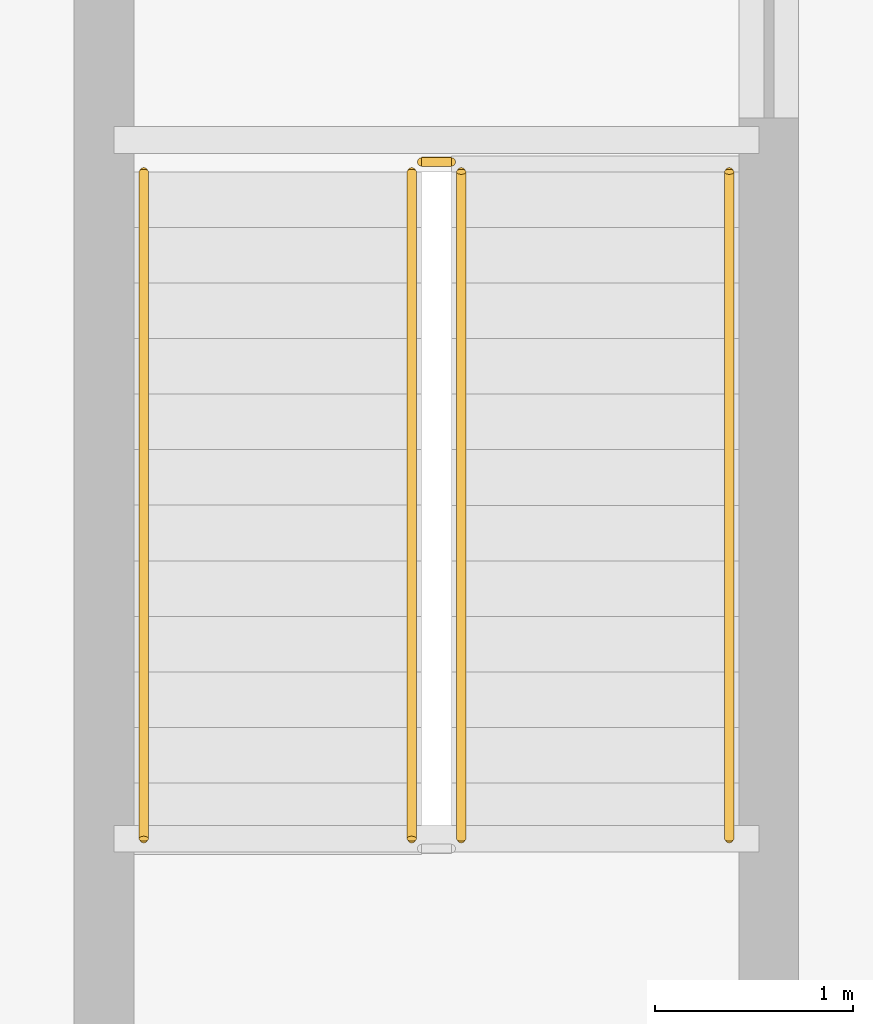
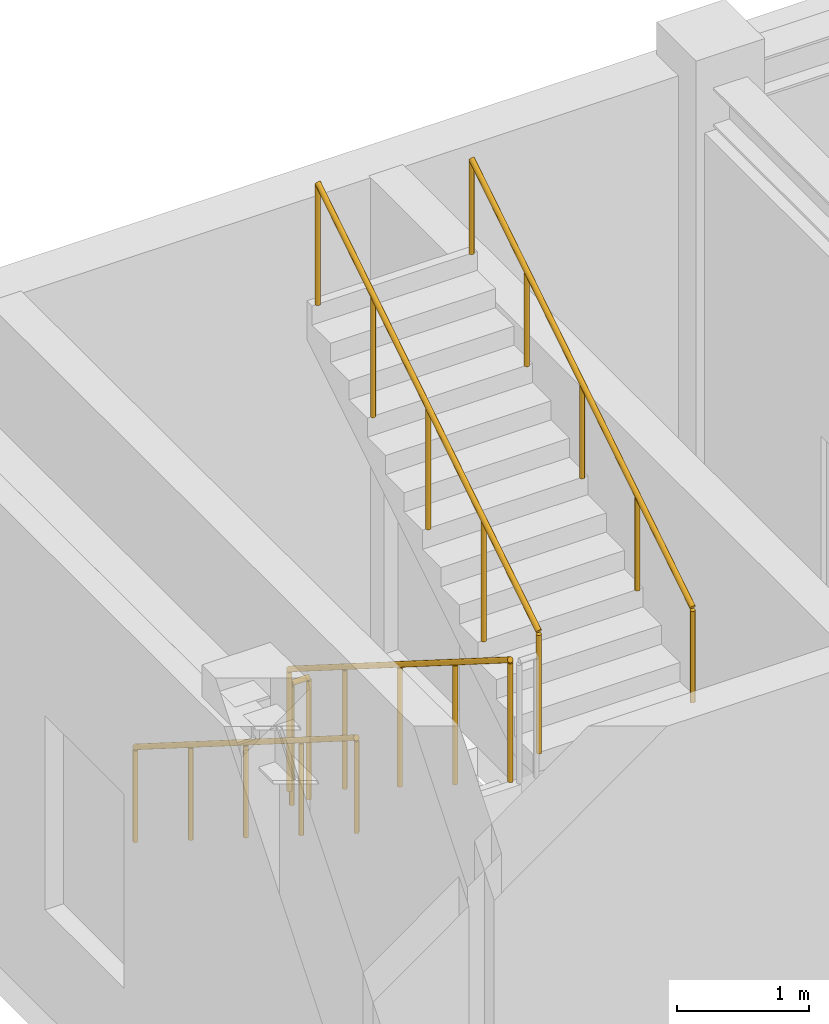
# One storey, part 23 of 23: 5 railings.
"""IFC4 building model written with IfcOpenShell, lengths in metres."""

from ifc_helpers import new_model, si_unit, direction, frame, origin, origin_2d, place, context, subcontext, project, spatial, circle, extrude, material, type_object, element, save


model = new_model("IFC4")

# Units and contexts
model_context = context("Model", 3, precision=1e-05, world=origin(), true_north=direction((0.0, 1.0)))
body_context = subcontext(model_context, "Body", "Model", "MODEL_VIEW")
ifc_project = project(units=[si_unit("LENGTHUNIT", "METRE"), si_unit("AREAUNIT", "SQUARE_METRE"), si_unit("VOLUMEUNIT", "CUBIC_METRE"), si_unit("PLANEANGLEUNIT", "RADIAN"), si_unit("MASSUNIT", "GRAM", prefix="KILO")], contexts=[model_context])

# Site, building, storey
site_placement = place(None, origin())
site = spatial("IfcSite", under=ifc_project, at=site_placement, CompositionType="ELEMENT")
building_placement = place(site_placement, origin())
building = spatial("IfcBuilding", under=site, at=building_placement, Name="Kranzbogen Civic Tower", CompositionType="ELEMENT")
storey_placement = place(building_placement, frame((0.0, 0.0, 14.39990234375)))
storey = spatial("IfcBuildingStorey", under=building, at=storey_placement, Name="L03", CompositionType="ELEMENT", Elevation=14.39990234375)

# Railings
ifc_material_1 = material(Name="Steel S355", Category="steel")
railing_type_1 = type_object("IfcRailingType", Name="Internal Stair and Void Steel Guardrail 1150", PredefinedType="GUARDRAIL", material=ifc_material_1)
railing_1_placement = place(storey_placement, frame((54.949951171875, 41.0, 0.177001953125)))
element("IfcRailing", 1, at=railing_1_placement, inside=storey, type_object=railing_type_1, Name="L03 ST-H2 stair guard 1", PredefinedType="GUARDRAIL", context=body_context, shape_type="SweptSolid", body=[
    extrude(circle(Radius=0.02392578125, at=origin_2d()), frame((0.0, 0.0, 1.1259765625), z_axis=(0.0, -0.845389635667, 0.534150132366), x_axis=(1.0, 0.0, 0.0)), (0.0, 0.0, 1.0), 3.974609375),
    extrude(circle(Radius=0.02099609375, at=origin_2d()), origin(), (0.0, 0.0, 1.0), 1.101806640625),
    extrude(circle(Radius=0.02099609375, at=origin_2d()), frame((0.0, -0.840087890625, 0.53076171875)), (0.0, 0.0, 1.0), 1.101806640625),
    extrude(circle(Radius=0.02099609375, at=origin_2d()), frame((0.0, -1.68017578125, 1.0615234375)), (0.0, 0.0, 1.0), 1.101806640625),
    extrude(circle(Radius=0.02099609375, at=origin_2d()), frame((0.0, -2.52001953125, 1.59228515625)), (0.0, 0.0, 1.0), 1.101806640625),
    extrude(circle(Radius=0.02099609375, at=origin_2d()), frame((0.0, -3.360107421875, 2.123046875)), (0.0, 0.0, 1.0), 1.101806640625),
])
railing_2_placement = place(storey_placement, frame((55.199951171875, 37.639892578125, 2.47705078125)))
element("IfcRailing", 2, at=railing_2_placement, inside=storey, type_object=railing_type_1, Name="L03 ST-H2 stair guard 3", PredefinedType="GUARDRAIL", context=body_context, shape_type="SweptSolid", body=[
    extrude(circle(Radius=0.02392578125, at=origin_2d()), frame((0.0, 0.0, 1.1259765625), z_axis=(0.0, 0.845389635667, 0.534150132366), x_axis=(-1.0, 0.0, 0.0)), (0.0, 0.0, 1.0), 3.974609375),
    extrude(circle(Radius=0.02099609375, at=origin_2d()), origin(), (0.0, 0.0, 1.0), 1.101806640625),
    extrude(circle(Radius=0.02099609375, at=origin_2d()), frame((0.0, 0.840087890625, 0.53076171875)), (0.0, 0.0, 1.0), 1.101806640625),
    extrude(circle(Radius=0.02099609375, at=origin_2d()), frame((0.0, 1.68017578125, 1.0615234375)), (0.0, 0.0, 1.0), 1.101806640625),
    extrude(circle(Radius=0.02099609375, at=origin_2d()), frame((0.0, 2.52001953125, 1.59228515625)), (0.0, 0.0, 1.0), 1.101806640625),
    extrude(circle(Radius=0.02099609375, at=origin_2d()), frame((0.0, 3.360107421875, 2.123046875)), (0.0, 0.0, 1.0), 1.101806640625),
])
railing_3_placement = place(storey_placement, frame((55.0, 41.050048828125, 0.0)))
element("IfcRailing", 3, at=railing_3_placement, inside=storey, type_object=railing_type_1, Name="L03 ST-H2 stair guard 4", PredefinedType="GUARDRAIL", context=body_context, shape_type="SweptSolid", body=[
    extrude(circle(Radius=0.02392578125, at=origin_2d()), frame((0.0, 0.0, 1.1259765625), z_axis=(1.0, 0.0, 0.0), x_axis=(0.0, 1.0, 0.0)), (0.0, 0.0, 1.0), 0.14990234375),
    extrude(circle(Radius=0.02099609375, at=origin_2d()), origin(), (0.0, 0.0, 1.0), 1.101806640625),
    extrude(circle(Radius=0.02099609375, at=origin_2d()), frame((0.14990234375, 0.0, 0.0)), (0.0, 0.0, 1.0), 1.101806640625),
])
ifc_material_2 = material(Name="Pale Anodised Aluminium", Category="aluminium")
railing_type_2 = type_object("IfcRailingType", Name="Tubular Stainless Stair Wall Handrail 900", PredefinedType="HANDRAIL", material=ifc_material_2)
railing_4_placement = place(storey_placement, frame((53.60009765625, 41.0, 0.177001953125)))
element("IfcRailing", 4, at=railing_4_placement, inside=storey, type_object=railing_type_2, Name="L03 ST-H2 stair handrail 1", PredefinedType="HANDRAIL", context=body_context, shape_type="SweptSolid", body=[
    extrude(circle(Radius=0.02392578125, at=origin_2d()), frame((0.0, 0.0, 0.8759765625), z_axis=(0.0, -0.845389635667, 0.534150132366), x_axis=(1.0, 0.0, 0.0)), (0.0, 0.0, 1.0), 3.974609375),
    extrude(circle(Radius=0.02099609375, at=origin_2d()), origin(), (0.0, 0.0, 1.0), 0.851806640625),
    extrude(circle(Radius=0.02099609375, at=origin_2d()), frame((0.0, -0.840087890625, 0.53076171875)), (0.0, 0.0, 1.0), 0.851806640625),
    extrude(circle(Radius=0.02099609375, at=origin_2d()), frame((0.0, -1.68017578125, 1.0615234375)), (0.0, 0.0, 1.0), 0.851806640625),
    extrude(circle(Radius=0.02099609375, at=origin_2d()), frame((0.0, -2.52001953125, 1.59228515625)), (0.0, 0.0, 1.0), 0.851806640625),
    extrude(circle(Radius=0.02099609375, at=origin_2d()), frame((0.0, -3.360107421875, 2.123046875)), (0.0, 0.0, 1.0), 0.851806640625),
])
railing_5_placement = place(storey_placement, frame((56.550048828125, 37.639892578125, 2.47705078125)))
element("IfcRailing", 5, at=railing_5_placement, inside=storey, type_object=railing_type_2, Name="L03 ST-H2 stair handrail 2", PredefinedType="HANDRAIL", context=body_context, shape_type="SweptSolid", body=[
    extrude(circle(Radius=0.02392578125, at=origin_2d()), frame((0.0, 0.0, 0.8759765625), z_axis=(0.0, 0.845389635667, 0.534150132366), x_axis=(-1.0, 0.0, 0.0)), (0.0, 0.0, 1.0), 3.974609375),
    extrude(circle(Radius=0.02099609375, at=origin_2d()), origin(), (0.0, 0.0, 1.0), 0.851806640625),
    extrude(circle(Radius=0.02099609375, at=origin_2d()), frame((0.0, 0.840087890625, 0.53076171875)), (0.0, 0.0, 1.0), 0.851806640625),
    extrude(circle(Radius=0.02099609375, at=origin_2d()), frame((0.0, 1.68017578125, 1.0615234375)), (0.0, 0.0, 1.0), 0.851806640625),
    extrude(circle(Radius=0.02099609375, at=origin_2d()), frame((0.0, 2.52001953125, 1.59228515625)), (0.0, 0.0, 1.0), 0.851806640625),
    extrude(circle(Radius=0.02099609375, at=origin_2d()), frame((0.0, 3.360107421875, 2.123046875)), (0.0, 0.0, 1.0), 0.851806640625),
])

save(model, "model.ifc")
